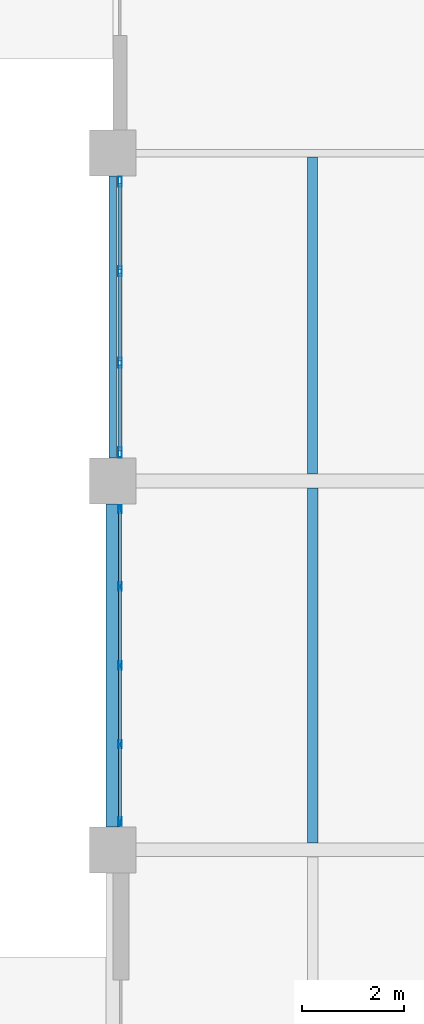
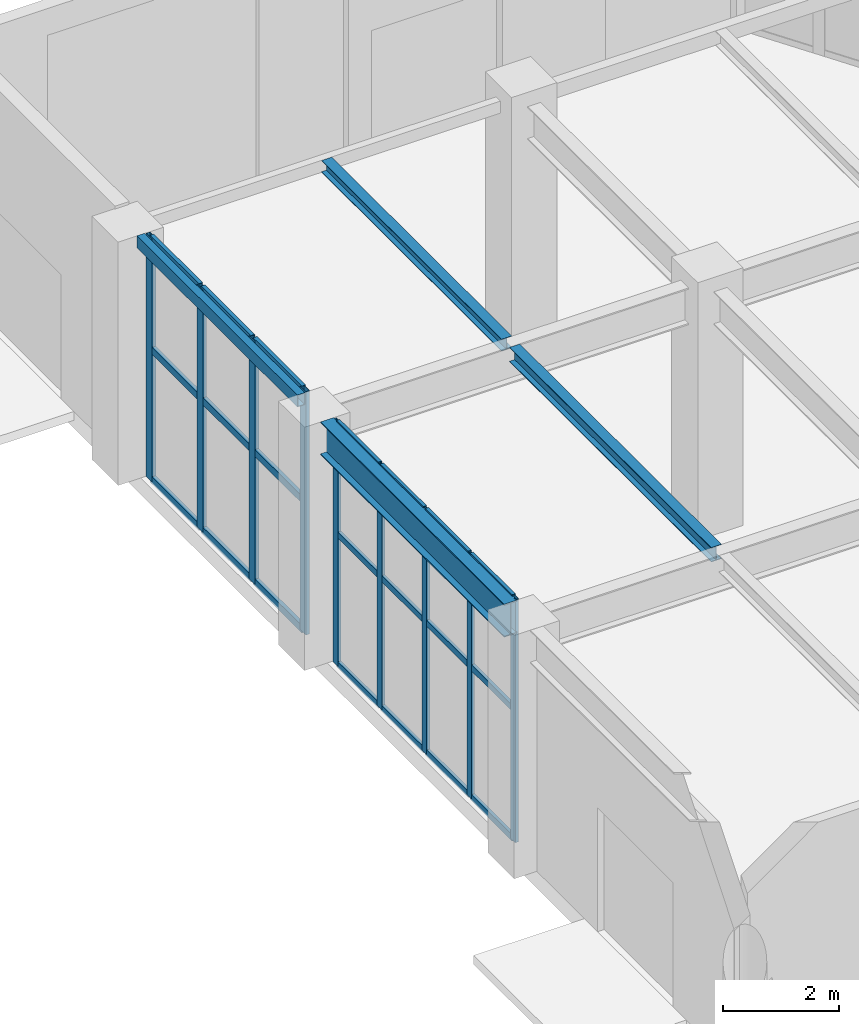
# One storey, part 75 of 139: 30 members, 4 beams, 2 elements without a shape of their own.
"""IFC4 building model written with IfcOpenShell, lengths in metres."""

from ifc_helpers import new_model, si_unit, direction, frame, origin, origin_2d, place, context, subcontext, project, spatial, hollow_rectangle, i_section, extrude, material, layer, layer_set, material_profile, profile_set, type_object, element, aggregate, save


model = new_model("IFC4")

# Units and contexts
model_context = context("Model", 3, precision=1e-05, world=origin(), true_north=direction((0.0, 1.0)))
body_context = subcontext(model_context, "Body", "Model", "MODEL_VIEW")
ifc_project = project(units=[si_unit("LENGTHUNIT", "METRE"), si_unit("AREAUNIT", "SQUARE_METRE"), si_unit("VOLUMEUNIT", "CUBIC_METRE"), si_unit("PLANEANGLEUNIT", "RADIAN"), si_unit("MASSUNIT", "GRAM", prefix="KILO")], contexts=[model_context])

# Site, building, storey
site_placement = place(None, origin())
site = spatial("IfcSite", under=ifc_project, at=site_placement, CompositionType="ELEMENT")
building_placement = place(site_placement, origin())
building = spatial("IfcBuilding", under=site, at=building_placement, Name="Xicomal Pleat Aquarium", CompositionType="ELEMENT")
storey_placement = place(building_placement, origin())
storey = spatial("IfcBuildingStorey", under=building, at=storey_placement, Name="L01", CompositionType="ELEMENT", Elevation=0.0)

# Beams
ifc_material_1 = material(Name="Structural steel A992 Gr 50", Category="steel")
ifc_material_profile_1 = material_profile(ifc_material_1, i_section(OverallWidth=0.201904296875, OverallDepth=0.2470703125, WebThickness=0.00732421875, FlangeThickness=0.010986328125, at=origin_2d()), Name="IR 250x49")
ifc_profile_set_1 = profile_set([ifc_material_profile_1], Name="Structural steel A992 Gr 50")
beam_type_1 = type_object("IfcBeamType", Name="BM-STL-IR250", PredefinedType="JOIST", material=ifc_profile_set_1)
beam_1_placement = place(storey_placement, frame((129.89990234375, 98.537109375, 4.9765625), z_axis=(0.0, 1.0, 0.0), x_axis=(-1.0, 0.0, 0.0)))
element("IfcBeam", 1, at=beam_1_placement, inside=storey, type_object=beam_type_1, Name="L01 framing beam FBJ-L01-16-P-1", PredefinedType="JOIST", context=body_context, shape_type="SweptSolid", body=[
    extrude(i_section(OverallWidth=0.201904296875, OverallDepth=0.2470703125, WebThickness=0.00732421875, FlangeThickness=0.010986328125, at=origin_2d()), origin(), (0.0, 0.0, 1.0), 6.184814453125),
])
ifc_material_2 = material(Name="Structural steel A992 Gr 50", Category="steel")
ifc_material_profile_2 = material_profile(ifc_material_2, i_section(OverallWidth=0.202880859375, OverallDepth=0.302978515625, WebThickness=0.007568359375, FlangeThickness=0.01318359375, at=origin_2d()), Name="IR 310x60")
ifc_profile_set_2 = profile_set([ifc_material_profile_2], Name="Structural steel A992 Gr 50")
beam_type_2 = type_object("IfcBeamType", Name="BM-STL-IR310", PredefinedType="JOIST", material=ifc_profile_set_2)
beam_2_placement = place(storey_placement, frame((129.89990234375, 91.3369140625, 4.948486328125), z_axis=(0.0, 1.0, 0.0), x_axis=(-1.0, 0.0, 0.0)))
element("IfcBeam", 2, at=beam_2_placement, inside=storey, type_object=beam_type_2, Name="L01 framing beam FBJ-L01-16-N-1", PredefinedType="JOIST", context=body_context, shape_type="SweptSolid", body=[
    extrude(i_section(OverallWidth=0.202880859375, OverallDepth=0.302978515625, WebThickness=0.007568359375, FlangeThickness=0.01318359375, at=origin_2d()), origin(), (0.0, 0.0, 1.0), 6.926025390625),
])
ifc_material_3 = material(Name="Structural steel A992 Gr 50", Category="steel")
ifc_material_profile_3 = material_profile(ifc_material_3, i_section(OverallWidth=0.256103515625, OverallDepth=0.693115234375, WebThickness=0.014404296875, FlangeThickness=0.023681640625, at=origin_2d()), Name="IR 690x170")
ifc_profile_set_3 = profile_set([ifc_material_profile_3], Name="Structural steel A992 Gr 50")
beam_type_3 = type_object("IfcBeamType", Name="BM-STL-IR690", PredefinedType="BEAM", material=ifc_profile_set_3)
beam_3_placement = place(storey_placement, frame((126.0, 91.64501953125, 4.75341796875), z_axis=(0.0, 1.0, 0.0), x_axis=(-1.0, 0.0, 0.0)))
element("IfcBeam", 3, at=beam_3_placement, inside=storey, type_object=beam_type_3, Name="L01 framing beam FGY-L01-16-N-P", PredefinedType="BEAM", context=body_context, shape_type="SweptSolid", body=[
    extrude(i_section(OverallWidth=0.256103515625, OverallDepth=0.693115234375, WebThickness=0.014404296875, FlangeThickness=0.023681640625, at=origin_2d()), origin(), (0.0, 0.0, 1.0), 6.31005859375),
])
ifc_material_4 = material(Name="Structural steel A500 Gr C", Category="steel")
ifc_material_profile_4 = material_profile(ifc_material_4, hollow_rectangle(XDim=0.14990234375, YDim=0.25, WallThickness=0.010009765625, at=origin_2d()), Name="OR 250x150x10")
ifc_profile_set_4 = profile_set([ifc_material_profile_4], Name="Structural steel A500 Gr C")
beam_type_4 = type_object("IfcBeamType", Name="BM-STL-OR250", PredefinedType="SPANDREL", material=ifc_profile_set_4)
beam_4_placement = place(storey_placement, frame((126.0, 98.844970703125, 4.97509765625), z_axis=(0.0, 1.0, 0.0), x_axis=(-1.0, 0.0, 0.0)))
element("IfcBeam", 4, at=beam_4_placement, inside=storey, type_object=beam_type_4, Name="L01 framing beam FGY-L01-16-P-Q", PredefinedType="SPANDREL", context=body_context, shape_type="SweptSolid", body=[
    extrude(hollow_rectangle(XDim=0.14990234375, YDim=0.25, WallThickness=0.010009765625, at=origin_2d()), origin(), (0.0, 0.0, 1.0), 5.510009765625),
])

# Curtain wall, members
ifc_material_5 = material(Name="Bronze anodized aluminium 6063-T6", Category="aluminium")
ifc_layer_1 = layer(ifc_material_5, 0.159912109375)
ifc_layer_set_1 = layer_set([ifc_layer_1], Name="Bronze anodized aluminium 6063-T6")
curtain_wall_type_1 = type_object("IfcCurtainWallType", Name="CW-SYS-01", PredefinedType="NOTDEFINED", material=ifc_layer_set_1)
curtain_wall_1_placement = place(storey_placement, origin())
curtain_wall_1 = element("IfcCurtainWall", 5, at=curtain_wall_1_placement, inside=storey, type_object=curtain_wall_type_1, Name="L01 unitised curtain wall CW-L01-069", PredefinedType="NOTDEFINED")
ifc_material_6 = material(Name="Bronze anodized aluminium 6063-T6", Category="aluminium")
ifc_material_profile_5 = material_profile(ifc_material_6, hollow_rectangle(XDim=0.06494140625, YDim=0.159912109375, WallThickness=0.00390625, at=origin_2d()), Name="ALU MULL 65x160")
ifc_profile_set_5 = profile_set([ifc_material_profile_5], Name="Bronze anodized aluminium 6063-T6")
member_type_1 = type_object("IfcMemberType", Name="CWM-65x160", PredefinedType="MULLION", material=ifc_profile_set_5)
member_1_placement = place(storey_placement, frame((126.139892578125, 91.75244140625, 0.0), z_axis=(0.0, 0.0, 1.0), x_axis=(-1.0, 0.0, 0.0)))
member_1 = element("IfcMember", 6, at=member_1_placement, type_object=member_type_1, Name="CW-01 mullion 1", PredefinedType="MULLION", context=body_context, shape_type="SweptSolid", body=[
    extrude(hollow_rectangle(XDim=0.06494140625, YDim=0.159912109375, WallThickness=0.00390625, at=origin_2d()), origin(), (0.0, 0.0, 1.0), 5.10009765625),
])
member_2_placement = place(storey_placement, frame((126.139892578125, 93.260009765625, 0.0), z_axis=(0.0, 0.0, 1.0), x_axis=(-1.0, 0.0, 0.0)))
member_2 = element("IfcMember", 7, at=member_2_placement, type_object=member_type_1, Name="CW-01 mullion 2", PredefinedType="MULLION", context=body_context, shape_type="SweptSolid", body=[
    extrude(hollow_rectangle(XDim=0.06494140625, YDim=0.159912109375, WallThickness=0.00390625, at=origin_2d()), origin(), (0.0, 0.0, 1.0), 5.10009765625),
])
member_3_placement = place(storey_placement, frame((126.139892578125, 94.800048828125, 0.0), z_axis=(0.0, 0.0, 1.0), x_axis=(-1.0, 0.0, 0.0)))
member_3 = element("IfcMember", 8, at=member_3_placement, type_object=member_type_1, Name="CW-01 mullion 3", PredefinedType="MULLION", context=body_context, shape_type="SweptSolid", body=[
    extrude(hollow_rectangle(XDim=0.06494140625, YDim=0.159912109375, WallThickness=0.00390625, at=origin_2d()), origin(), (0.0, 0.0, 1.0), 5.10009765625),
])
member_4_placement = place(storey_placement, frame((126.139892578125, 96.340087890625, 0.0), z_axis=(0.0, 0.0, 1.0), x_axis=(-1.0, 0.0, 0.0)))
member_4 = element("IfcMember", 9, at=member_4_placement, type_object=member_type_1, Name="CW-01 mullion 4", PredefinedType="MULLION", context=body_context, shape_type="SweptSolid", body=[
    extrude(hollow_rectangle(XDim=0.06494140625, YDim=0.159912109375, WallThickness=0.00390625, at=origin_2d()), origin(), (0.0, 0.0, 1.0), 5.10009765625),
])
member_5_placement = place(storey_placement, frame((126.139892578125, 97.847412109375, 0.0), z_axis=(0.0, 0.0, 1.0), x_axis=(-1.0, 0.0, 0.0)))
member_5 = element("IfcMember", 10, at=member_5_placement, type_object=member_type_1, Name="CW-01 mullion 5", PredefinedType="MULLION", context=body_context, shape_type="SweptSolid", body=[
    extrude(hollow_rectangle(XDim=0.06494140625, YDim=0.159912109375, WallThickness=0.00390625, at=origin_2d()), origin(), (0.0, 0.0, 1.0), 5.10009765625),
])

ifc_material_7 = material(Name="Bronze anodized aluminium 6063-T6", Category="aluminium")
ifc_layer_2 = layer(ifc_material_7, 0.159912109375)
ifc_layer_set_2 = layer_set([ifc_layer_2], Name="Bronze anodized aluminium 6063-T6")
curtain_wall_type_2 = type_object("IfcCurtainWallType", Name="CW-SYS-06", PredefinedType="NOTDEFINED", material=ifc_layer_set_2)
curtain_wall_2_placement = place(storey_placement, origin())
curtain_wall_2 = element("IfcCurtainWall", 11, at=curtain_wall_2_placement, inside=storey, type_object=curtain_wall_type_2, Name="L01 unitised curtain wall CW-L01-070", PredefinedType="NOTDEFINED")
ifc_material_8 = material(Name="Bronze anodized aluminium 6063-T6", Category="aluminium")
ifc_material_profile_6 = material_profile(ifc_material_8, hollow_rectangle(XDim=0.074951171875, YDim=0.199951171875, WallThickness=0.00439453125, at=origin_2d()), Name="ALU MULL 75x200")
ifc_profile_set_6 = profile_set([ifc_material_profile_6], Name="Bronze anodized aluminium 6063-T6")
member_type_2 = type_object("IfcMemberType", Name="CWM-75x200", PredefinedType="MULLION", material=ifc_profile_set_6)
member_6_placement = place(storey_placement, frame((126.139892578125, 98.95751953125, 0.0), z_axis=(0.0, 0.0, 1.0), x_axis=(-1.0, 0.0, 0.0)))
member_6 = element("IfcMember", 12, at=member_6_placement, type_object=member_type_2, Name="CW-06 mullion 1", PredefinedType="MULLION", context=body_context, shape_type="SweptSolid", body=[
    extrude(hollow_rectangle(XDim=0.074951171875, YDim=0.199951171875, WallThickness=0.00439453125, at=origin_2d()), origin(), (0.0, 0.0, 1.0), 5.10009765625),
])
member_7_placement = place(storey_placement, frame((126.139892578125, 100.706787109375, 0.0), z_axis=(0.0, 0.0, 1.0), x_axis=(-1.0, 0.0, 0.0)))
member_7 = element("IfcMember", 13, at=member_7_placement, type_object=member_type_2, Name="CW-06 mullion 2", PredefinedType="MULLION", context=body_context, shape_type="SweptSolid", body=[
    extrude(hollow_rectangle(XDim=0.074951171875, YDim=0.199951171875, WallThickness=0.00439453125, at=origin_2d()), origin(), (0.0, 0.0, 1.0), 5.10009765625),
])
member_8_placement = place(storey_placement, frame((126.139892578125, 102.493408203125, 0.0), z_axis=(0.0, 0.0, 1.0), x_axis=(-1.0, 0.0, 0.0)))
member_8 = element("IfcMember", 14, at=member_8_placement, type_object=member_type_2, Name="CW-06 mullion 3", PredefinedType="MULLION", context=body_context, shape_type="SweptSolid", body=[
    extrude(hollow_rectangle(XDim=0.074951171875, YDim=0.199951171875, WallThickness=0.00439453125, at=origin_2d()), origin(), (0.0, 0.0, 1.0), 5.10009765625),
])
member_9_placement = place(storey_placement, frame((126.139892578125, 104.242431640625, 0.0), z_axis=(0.0, 0.0, 1.0), x_axis=(-1.0, 0.0, 0.0)))
member_9 = element("IfcMember", 15, at=member_9_placement, type_object=member_type_2, Name="CW-06 mullion 4", PredefinedType="MULLION", context=body_context, shape_type="SweptSolid", body=[
    extrude(hollow_rectangle(XDim=0.074951171875, YDim=0.199951171875, WallThickness=0.00439453125, at=origin_2d()), origin(), (0.0, 0.0, 1.0), 5.10009765625),
])

# Member
ifc_material_9 = material(Name="Bronze anodized aluminium 6063-T6", Category="aluminium")
ifc_material_profile_7 = material_profile(ifc_material_9, hollow_rectangle(XDim=0.06494140625, YDim=0.1298828125, WallThickness=0.00390625, at=origin_2d()), Name="ALU TRAN 65x130")
ifc_profile_set_7 = profile_set([ifc_material_profile_7], Name="Bronze anodized aluminium 6063-T6")
member_type_3 = type_object("IfcMemberType", Name="CWT-65x130", PredefinedType="USERDEFINED", material=ifc_profile_set_7)
member_10_placement = place(storey_placement, frame((126.139892578125, 91.784912109375, 0.032470703125), z_axis=(0.0, 1.0, 0.0), x_axis=(-1.0, 0.0, 0.0)))
member_10 = element("IfcMember", 16, at=member_10_placement, type_object=member_type_3, Name="CW-01 transom 1.1", ObjectType="TRANSOM", PredefinedType="USERDEFINED", context=body_context, shape_type="SweptSolid", body=[
    extrude(hollow_rectangle(XDim=0.06494140625, YDim=0.1298828125, WallThickness=0.00390625, at=origin_2d()), origin(), (0.0, 0.0, 1.0), 1.442626953125),
])

member_11_placement = place(storey_placement, frame((126.139892578125, 91.784912109375, 2.75390625), z_axis=(0.0, 1.0, 0.0), x_axis=(-1.0, 0.0, 0.0)))
member_11 = element("IfcMember", 17, at=member_11_placement, type_object=member_type_3, Name="CW-01 transom 1.2", ObjectType="TRANSOM", PredefinedType="USERDEFINED", context=body_context, shape_type="SweptSolid", body=[
    extrude(hollow_rectangle(XDim=0.06494140625, YDim=0.1298828125, WallThickness=0.00390625, at=origin_2d()), origin(), (0.0, 0.0, 1.0), 1.442626953125),
])

member_12_placement = place(storey_placement, frame((126.139892578125, 91.784912109375, 5.0673828125), z_axis=(0.0, 1.0, 0.0), x_axis=(-1.0, 0.0, 0.0)))
member_12 = element("IfcMember", 18, at=member_12_placement, type_object=member_type_3, Name="CW-01 transom 1.3", ObjectType="TRANSOM", PredefinedType="USERDEFINED", context=body_context, shape_type="SweptSolid", body=[
    extrude(hollow_rectangle(XDim=0.06494140625, YDim=0.1298828125, WallThickness=0.00390625, at=origin_2d()), origin(), (0.0, 0.0, 1.0), 1.442626953125),
])

member_13_placement = place(storey_placement, frame((126.139892578125, 93.29248046875, 0.032470703125), z_axis=(0.0, 1.0, 0.0), x_axis=(-1.0, 0.0, 0.0)))
member_13 = element("IfcMember", 19, at=member_13_placement, type_object=member_type_3, Name="CW-01 transom 2.1", ObjectType="TRANSOM", PredefinedType="USERDEFINED", context=body_context, shape_type="SweptSolid", body=[
    extrude(hollow_rectangle(XDim=0.06494140625, YDim=0.1298828125, WallThickness=0.00390625, at=origin_2d()), origin(), (0.0, 0.0, 1.0), 1.47509765625),
])

member_14_placement = place(storey_placement, frame((126.139892578125, 93.29248046875, 2.75390625), z_axis=(0.0, 1.0, 0.0), x_axis=(-1.0, 0.0, 0.0)))
member_14 = element("IfcMember", 20, at=member_14_placement, type_object=member_type_3, Name="CW-01 transom 2.2", ObjectType="TRANSOM", PredefinedType="USERDEFINED", context=body_context, shape_type="SweptSolid", body=[
    extrude(hollow_rectangle(XDim=0.06494140625, YDim=0.1298828125, WallThickness=0.00390625, at=origin_2d()), origin(), (0.0, 0.0, 1.0), 1.47509765625),
])

member_15_placement = place(storey_placement, frame((126.139892578125, 93.29248046875, 5.0673828125), z_axis=(0.0, 1.0, 0.0), x_axis=(-1.0, 0.0, 0.0)))
member_15 = element("IfcMember", 21, at=member_15_placement, type_object=member_type_3, Name="CW-01 transom 2.3", ObjectType="TRANSOM", PredefinedType="USERDEFINED", context=body_context, shape_type="SweptSolid", body=[
    extrude(hollow_rectangle(XDim=0.06494140625, YDim=0.1298828125, WallThickness=0.00390625, at=origin_2d()), origin(), (0.0, 0.0, 1.0), 1.47509765625),
])

member_16_placement = place(storey_placement, frame((126.139892578125, 94.83251953125, 0.032470703125), z_axis=(0.0, 1.0, 0.0), x_axis=(-1.0, 0.0, 0.0)))
member_16 = element("IfcMember", 22, at=member_16_placement, type_object=member_type_3, Name="CW-01 transom 3.1", ObjectType="TRANSOM", PredefinedType="USERDEFINED", context=body_context, shape_type="SweptSolid", body=[
    extrude(hollow_rectangle(XDim=0.06494140625, YDim=0.1298828125, WallThickness=0.00390625, at=origin_2d()), origin(), (0.0, 0.0, 1.0), 1.47509765625),
])

member_17_placement = place(storey_placement, frame((126.139892578125, 94.83251953125, 2.75390625), z_axis=(0.0, 1.0, 0.0), x_axis=(-1.0, 0.0, 0.0)))
member_17 = element("IfcMember", 23, at=member_17_placement, type_object=member_type_3, Name="CW-01 transom 3.2", ObjectType="TRANSOM", PredefinedType="USERDEFINED", context=body_context, shape_type="SweptSolid", body=[
    extrude(hollow_rectangle(XDim=0.06494140625, YDim=0.1298828125, WallThickness=0.00390625, at=origin_2d()), origin(), (0.0, 0.0, 1.0), 1.47509765625),
])

member_18_placement = place(storey_placement, frame((126.139892578125, 94.83251953125, 5.0673828125), z_axis=(0.0, 1.0, 0.0), x_axis=(-1.0, 0.0, 0.0)))
member_18 = element("IfcMember", 24, at=member_18_placement, type_object=member_type_3, Name="CW-01 transom 3.3", ObjectType="TRANSOM", PredefinedType="USERDEFINED", context=body_context, shape_type="SweptSolid", body=[
    extrude(hollow_rectangle(XDim=0.06494140625, YDim=0.1298828125, WallThickness=0.00390625, at=origin_2d()), origin(), (0.0, 0.0, 1.0), 1.47509765625),
])

member_19_placement = place(storey_placement, frame((126.139892578125, 96.37255859375, 0.032470703125), z_axis=(0.0, 1.0, 0.0), x_axis=(-1.0, 0.0, 0.0)))
member_19 = element("IfcMember", 25, at=member_19_placement, type_object=member_type_3, Name="CW-01 transom 4.1", ObjectType="TRANSOM", PredefinedType="USERDEFINED", context=body_context, shape_type="SweptSolid", body=[
    extrude(hollow_rectangle(XDim=0.06494140625, YDim=0.1298828125, WallThickness=0.00390625, at=origin_2d()), origin(), (0.0, 0.0, 1.0), 1.4423828125),
])

member_20_placement = place(storey_placement, frame((126.139892578125, 96.37255859375, 2.75390625), z_axis=(0.0, 1.0, 0.0), x_axis=(-1.0, 0.0, 0.0)))
member_20 = element("IfcMember", 26, at=member_20_placement, type_object=member_type_3, Name="CW-01 transom 4.2", ObjectType="TRANSOM", PredefinedType="USERDEFINED", context=body_context, shape_type="SweptSolid", body=[
    extrude(hollow_rectangle(XDim=0.06494140625, YDim=0.1298828125, WallThickness=0.00390625, at=origin_2d()), origin(), (0.0, 0.0, 1.0), 1.4423828125),
])

member_21_placement = place(storey_placement, frame((126.139892578125, 96.37255859375, 5.0673828125), z_axis=(0.0, 1.0, 0.0), x_axis=(-1.0, 0.0, 0.0)))
member_21 = element("IfcMember", 27, at=member_21_placement, type_object=member_type_3, Name="CW-01 transom 4.3", ObjectType="TRANSOM", PredefinedType="USERDEFINED", context=body_context, shape_type="SweptSolid", body=[
    extrude(hollow_rectangle(XDim=0.06494140625, YDim=0.1298828125, WallThickness=0.00390625, at=origin_2d()), origin(), (0.0, 0.0, 1.0), 1.4423828125),
])

aggregate(curtain_wall_1, [member_1, member_2, member_3, member_4, member_5, member_10, member_11, member_12, member_13, member_14, member_15, member_16, member_17, member_18, member_19, member_20, member_21])

ifc_material_10 = material(Name="Bronze anodized aluminium 6063-T6", Category="aluminium")
ifc_material_profile_8 = material_profile(ifc_material_10, hollow_rectangle(XDim=0.074951171875, YDim=0.14990234375, WallThickness=0.00439453125, at=origin_2d()), Name="ALU TRAN 75x150")
ifc_profile_set_8 = profile_set([ifc_material_profile_8], Name="Bronze anodized aluminium 6063-T6")
member_type_4 = type_object("IfcMemberType", Name="CWT-75x150", PredefinedType="USERDEFINED", material=ifc_profile_set_8)
member_22_placement = place(storey_placement, frame((126.139892578125, 98.9951171875, 0.03759765625), z_axis=(0.0, 1.0, 0.0), x_axis=(-1.0, 0.0, 0.0)))
member_22 = element("IfcMember", 28, at=member_22_placement, type_object=member_type_4, Name="CW-06 transom 1.1", ObjectType="TRANSOM", PredefinedType="USERDEFINED", context=body_context, shape_type="SweptSolid", body=[
    extrude(hollow_rectangle(XDim=0.074951171875, YDim=0.14990234375, WallThickness=0.00439453125, at=origin_2d()), origin(), (0.0, 0.0, 1.0), 1.674072265625),
])

member_23_placement = place(storey_placement, frame((126.139892578125, 98.9951171875, 2.75390625), z_axis=(0.0, 1.0, 0.0), x_axis=(-1.0, 0.0, 0.0)))
member_23 = element("IfcMember", 29, at=member_23_placement, type_object=member_type_4, Name="CW-06 transom 1.2", ObjectType="TRANSOM", PredefinedType="USERDEFINED", context=body_context, shape_type="SweptSolid", body=[
    extrude(hollow_rectangle(XDim=0.074951171875, YDim=0.14990234375, WallThickness=0.00439453125, at=origin_2d()), origin(), (0.0, 0.0, 1.0), 1.674072265625),
])

member_24_placement = place(storey_placement, frame((126.139892578125, 98.9951171875, 5.0625), z_axis=(0.0, 1.0, 0.0), x_axis=(-1.0, 0.0, 0.0)))
member_24 = element("IfcMember", 30, at=member_24_placement, type_object=member_type_4, Name="CW-06 transom 1.3", ObjectType="TRANSOM", PredefinedType="USERDEFINED", context=body_context, shape_type="SweptSolid", body=[
    extrude(hollow_rectangle(XDim=0.074951171875, YDim=0.14990234375, WallThickness=0.00439453125, at=origin_2d()), origin(), (0.0, 0.0, 1.0), 1.674072265625),
])

member_25_placement = place(storey_placement, frame((126.139892578125, 100.744140625, 0.03759765625), z_axis=(0.0, 1.0, 0.0), x_axis=(-1.0, 0.0, 0.0)))
member_25 = element("IfcMember", 31, at=member_25_placement, type_object=member_type_4, Name="CW-06 transom 2.1", ObjectType="TRANSOM", PredefinedType="USERDEFINED", context=body_context, shape_type="SweptSolid", body=[
    extrude(hollow_rectangle(XDim=0.074951171875, YDim=0.14990234375, WallThickness=0.00439453125, at=origin_2d()), origin(), (0.0, 0.0, 1.0), 1.711669921875),
])

member_26_placement = place(storey_placement, frame((126.139892578125, 100.744140625, 2.75390625), z_axis=(0.0, 1.0, 0.0), x_axis=(-1.0, 0.0, 0.0)))
member_26 = element("IfcMember", 32, at=member_26_placement, type_object=member_type_4, Name="CW-06 transom 2.2", ObjectType="TRANSOM", PredefinedType="USERDEFINED", context=body_context, shape_type="SweptSolid", body=[
    extrude(hollow_rectangle(XDim=0.074951171875, YDim=0.14990234375, WallThickness=0.00439453125, at=origin_2d()), origin(), (0.0, 0.0, 1.0), 1.711669921875),
])

member_27_placement = place(storey_placement, frame((126.139892578125, 100.744140625, 5.0625), z_axis=(0.0, 1.0, 0.0), x_axis=(-1.0, 0.0, 0.0)))
member_27 = element("IfcMember", 33, at=member_27_placement, type_object=member_type_4, Name="CW-06 transom 2.3", ObjectType="TRANSOM", PredefinedType="USERDEFINED", context=body_context, shape_type="SweptSolid", body=[
    extrude(hollow_rectangle(XDim=0.074951171875, YDim=0.14990234375, WallThickness=0.00439453125, at=origin_2d()), origin(), (0.0, 0.0, 1.0), 1.711669921875),
])

member_28_placement = place(storey_placement, frame((126.139892578125, 102.53076171875, 0.03759765625), z_axis=(0.0, 1.0, 0.0), x_axis=(-1.0, 0.0, 0.0)))
member_28 = element("IfcMember", 34, at=member_28_placement, type_object=member_type_4, Name="CW-06 transom 3.1", ObjectType="TRANSOM", PredefinedType="USERDEFINED", context=body_context, shape_type="SweptSolid", body=[
    extrude(hollow_rectangle(XDim=0.074951171875, YDim=0.14990234375, WallThickness=0.00439453125, at=origin_2d()), origin(), (0.0, 0.0, 1.0), 1.67431640625),
])

member_29_placement = place(storey_placement, frame((126.139892578125, 102.53076171875, 2.75390625), z_axis=(0.0, 1.0, 0.0), x_axis=(-1.0, 0.0, 0.0)))
member_29 = element("IfcMember", 35, at=member_29_placement, type_object=member_type_4, Name="CW-06 transom 3.2", ObjectType="TRANSOM", PredefinedType="USERDEFINED", context=body_context, shape_type="SweptSolid", body=[
    extrude(hollow_rectangle(XDim=0.074951171875, YDim=0.14990234375, WallThickness=0.00439453125, at=origin_2d()), origin(), (0.0, 0.0, 1.0), 1.67431640625),
])

member_30_placement = place(storey_placement, frame((126.139892578125, 102.53076171875, 5.0625), z_axis=(0.0, 1.0, 0.0), x_axis=(-1.0, 0.0, 0.0)))
member_30 = element("IfcMember", 36, at=member_30_placement, type_object=member_type_4, Name="CW-06 transom 3.3", ObjectType="TRANSOM", PredefinedType="USERDEFINED", context=body_context, shape_type="SweptSolid", body=[
    extrude(hollow_rectangle(XDim=0.074951171875, YDim=0.14990234375, WallThickness=0.00439453125, at=origin_2d()), origin(), (0.0, 0.0, 1.0), 1.67431640625),
])

aggregate(curtain_wall_2, [member_6, member_7, member_8, member_9, member_22, member_23, member_24, member_25, member_26, member_27, member_28, member_29, member_30])

save(model, "model.ifc")
